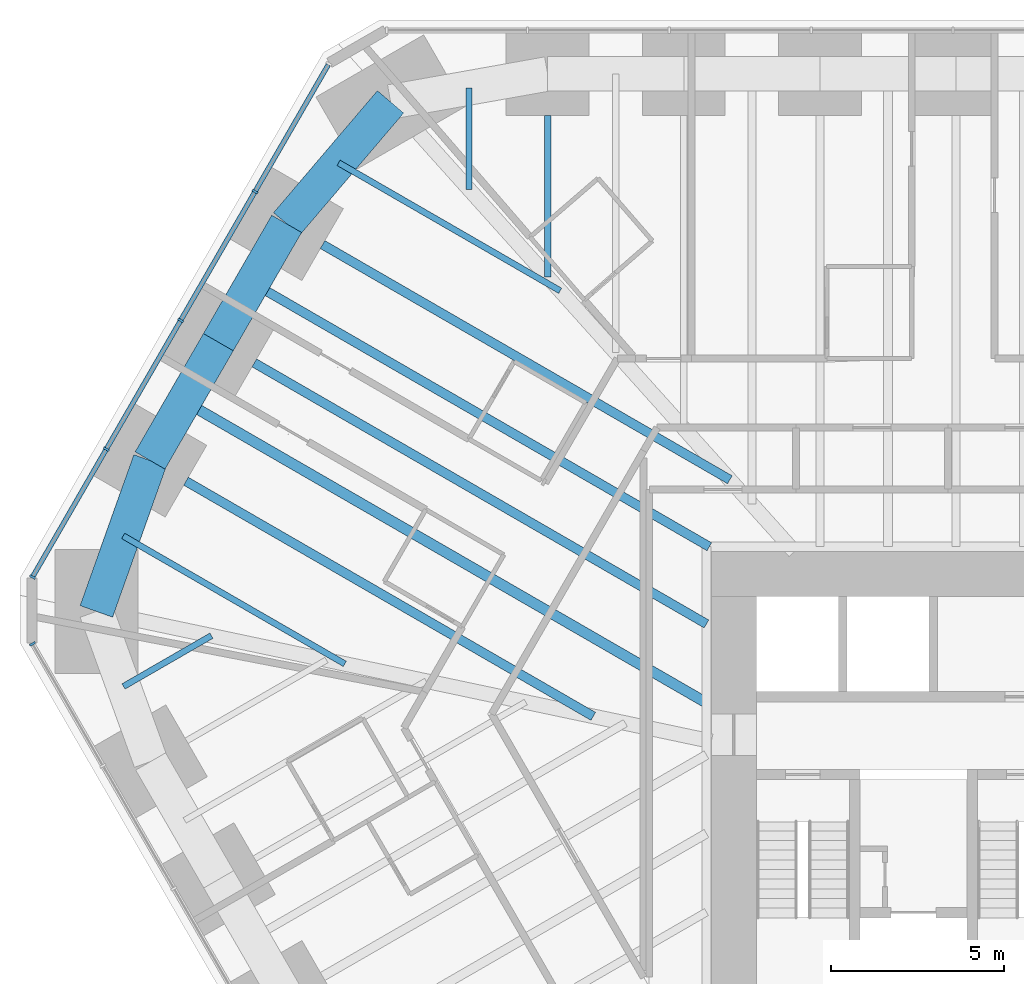
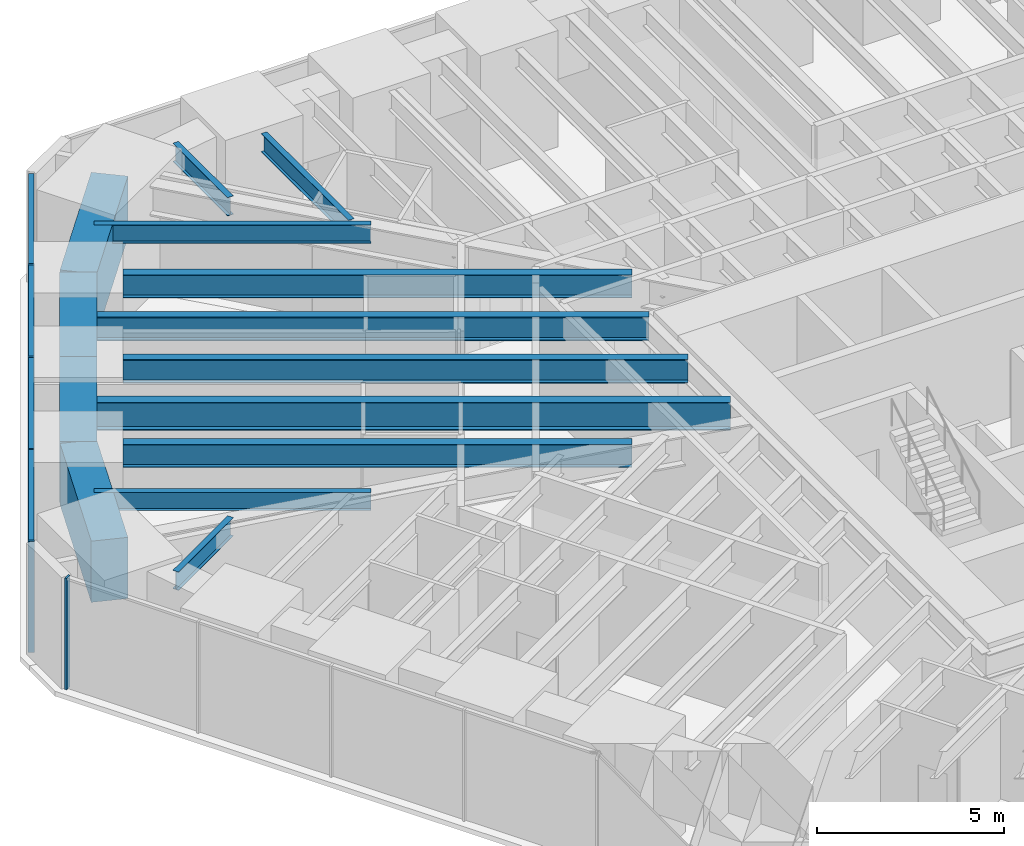
# One storey, part 7 of 17: 14 beams, 9 members, 2 elements without a shape of their own.
"""IFC4 building model written with IfcOpenShell, lengths in metres."""

from ifc_helpers import new_model, si_unit, direction, frame, origin, origin_2d, place, context, subcontext, project, spatial, rectangle, i_section, extrude, material, material_profile, profile_set, type_object, element, aggregate, save


model = new_model("IFC4")

# Units and contexts
model_context = context("Model", 3, precision=1e-05, world=origin(), true_north=direction((0.0, 1.0)))
body_context = subcontext(model_context, "Body", "Model", "MODEL_VIEW")
ifc_project = project(units=[si_unit("LENGTHUNIT", "METRE"), si_unit("AREAUNIT", "SQUARE_METRE"), si_unit("VOLUMEUNIT", "CUBIC_METRE"), si_unit("PLANEANGLEUNIT", "RADIAN"), si_unit("MASSUNIT", "GRAM", prefix="KILO")], contexts=[model_context])

# Site, building, storey
site_placement = place(None, origin())
site = spatial("IfcSite", under=ifc_project, at=site_placement, CompositionType="ELEMENT")
building_placement = place(site_placement, origin())
building = spatial("IfcBuilding", under=site, at=building_placement, Name="Sandreach Pilgrim Tower", CompositionType="ELEMENT")
storey_placement = place(building_placement, frame((0.0, 0.0, 100.60009765625)))
storey = spatial("IfcBuildingStorey", under=building, at=storey_placement, Name="L24", CompositionType="ELEMENT", Elevation=100.60009765625)

# Curtain wall, member
ifc_material_1 = material(Name="Aluminium framed curtain wall", Category="aluminium")
curtain_wall_type = type_object("IfcCurtainWallType", Name="Hotel tower curtain wall", PredefinedType="NOTDEFINED", material=ifc_material_1)
curtain_wall_1_placement = place(storey_placement, origin())
curtain_wall_1 = element("IfcCurtainWall", 1, at=curtain_wall_1_placement, inside=storey, type_object=curtain_wall_type, Name="CW-2 L24 SW", PredefinedType="NOTDEFINED")
ifc_material_2 = material(Name="Aluminium extrusion", Category="aluminium")
ifc_material_profile_1 = material_profile(ifc_material_2, rectangle(XDim=0.06494140625, YDim=0.179931640625, at=origin_2d()), Name="CW-2M 65X180")
ifc_profile_set_1 = profile_set([ifc_material_profile_1], Name="Aluminium extrusion")
member_type_1 = type_object("IfcMemberType", Name="CW-2 mullion", PredefinedType="MULLION", material=ifc_profile_set_1)
member_1_placement = place(storey_placement, frame((-28.70458984375, 4.730224609375, 0.0), z_axis=(0.0, 0.0, 1.0), x_axis=(-0.5, 0.866025403784, 0.0)))
member_1 = element("IfcMember", 2, at=member_1_placement, type_object=member_type_1, Name="CW-2 mullion 10", PredefinedType="MULLION", context=body_context, shape_type="SweptSolid", body=[
    extrude(rectangle(XDim=0.06494140625, YDim=0.179931640625, at=origin_2d()), origin(), (0.0, 0.0, 1.0), 3.639892578125),
])
aggregate(curtain_wall_1, [member_1])

# Curtain wall, members
curtain_wall_2_placement = place(storey_placement, origin())
curtain_wall_2 = element("IfcCurtainWall", 3, at=curtain_wall_2_placement, inside=storey, type_object=curtain_wall_type, Name="CW-2 L24 NW", PredefinedType="NOTDEFINED")
member_2_placement = place(storey_placement, frame((-28.70458984375, 6.66650390625, 0.0), z_axis=(0.0, 0.0, 1.0), x_axis=(0.5, 0.866025403784, 0.0)))
member_2 = element("IfcMember", 4, at=member_2_placement, type_object=member_type_1, Name="CW-2 mullion 1", PredefinedType="MULLION", context=body_context, shape_type="SweptSolid", body=[
    extrude(rectangle(XDim=0.06494140625, YDim=0.179931640625, at=origin_2d()), origin(), (0.0, 0.0, 1.0), 3.639892578125),
])
member_3_placement = place(storey_placement, frame((-26.568115234375, 10.3671875, 0.0), z_axis=(0.0, 0.0, 1.0), x_axis=(0.5, 0.866025403784, 0.0)))
member_3 = element("IfcMember", 5, at=member_3_placement, type_object=member_type_1, Name="CW-2 mullion 2", PredefinedType="MULLION", context=body_context, shape_type="SweptSolid", body=[
    extrude(rectangle(XDim=0.06494140625, YDim=0.179931640625, at=origin_2d()), origin(), (0.0, 0.0, 1.0), 3.639892578125),
])
member_4_placement = place(storey_placement, frame((-24.415283203125, 14.09619140625, 0.0), z_axis=(0.0, 0.0, 1.0), x_axis=(0.5, 0.866025403784, 0.0)))
member_4 = element("IfcMember", 6, at=member_4_placement, type_object=member_type_1, Name="CW-2 mullion 3", PredefinedType="MULLION", context=body_context, shape_type="SweptSolid", body=[
    extrude(rectangle(XDim=0.06494140625, YDim=0.179931640625, at=origin_2d()), origin(), (0.0, 0.0, 1.0), 3.639892578125),
])
member_5_placement = place(storey_placement, frame((-22.262451171875, 17.824951171875, 0.0), z_axis=(0.0, 0.0, 1.0), x_axis=(0.5, 0.866025403784, 0.0)))
member_5 = element("IfcMember", 7, at=member_5_placement, type_object=member_type_1, Name="CW-2 mullion 4", PredefinedType="MULLION", context=body_context, shape_type="SweptSolid", body=[
    extrude(rectangle(XDim=0.06494140625, YDim=0.179931640625, at=origin_2d()), origin(), (0.0, 0.0, 1.0), 3.639892578125),
])
ifc_material_3 = material(Name="Aluminium extrusion", Category="aluminium")
ifc_material_profile_2 = material_profile(ifc_material_3, rectangle(XDim=0.139892578125, YDim=0.070068359375, at=origin_2d()), Name="CW-2T 140X70")
ifc_profile_set_2 = profile_set([ifc_material_profile_2], Name="Aluminium extrusion")
member_type_2 = type_object("IfcMemberType", Name="CW-2 transom", PredefinedType="USERDEFINED", material=ifc_profile_set_2)
member_6_placement = place(storey_placement, frame((-28.6884765625, 6.69482421875, 3.60498046875), z_axis=(0.500038835258, 0.866002981077, 0.0), x_axis=(-0.866002981077, 0.500038835258, 0.0)))
member_6 = element("IfcMember", 8, at=member_6_placement, type_object=member_type_2, Name="CW-2 head transom 1", ObjectType="TRANSOM", PredefinedType="USERDEFINED", context=body_context, shape_type="SweptSolid", body=[
    extrude(rectangle(XDim=0.139892578125, YDim=0.070068359375, at=origin_2d()), origin(), (0.0, 0.0, 1.0), 4.208251953125),
])
member_7_placement = place(storey_placement, frame((-26.5517578125, 10.3955078125, 3.60498046875), z_axis=(0.500021471012, 0.866013007135, 0.0), x_axis=(-0.866013007135, 0.500021471012, 0.0)))
member_7 = element("IfcMember", 9, at=member_7_placement, type_object=member_type_2, Name="CW-2 head transom 2", ObjectType="TRANSOM", PredefinedType="USERDEFINED", context=body_context, shape_type="SweptSolid", body=[
    extrude(rectangle(XDim=0.139892578125, YDim=0.070068359375, at=origin_2d()), origin(), (0.0, 0.0, 1.0), 4.240478515625),
])
member_8_placement = place(storey_placement, frame((-24.39892578125, 14.124267578125, 3.60498046875), z_axis=(0.499996541496, 0.866027400544, 0.0), x_axis=(-0.866027400544, 0.499996541496, 0.0)))
member_8 = element("IfcMember", 10, at=member_8_placement, type_object=member_type_2, Name="CW-2 head transom 3", ObjectType="TRANSOM", PredefinedType="USERDEFINED", context=body_context, shape_type="SweptSolid", body=[
    extrude(rectangle(XDim=0.139892578125, YDim=0.070068359375, at=origin_2d()), origin(), (0.0, 0.0, 1.0), 4.24072265625),
])
member_9_placement = place(storey_placement, frame((-22.24609375, 17.85302734375, 3.60498046875), z_axis=(0.49997020258, 0.86604260665, 0.0), x_axis=(-0.86604260665, 0.49997020258, 0.0)))
member_9 = element("IfcMember", 11, at=member_9_placement, type_object=member_type_2, Name="CW-2 head transom 4", ObjectType="TRANSOM", PredefinedType="USERDEFINED", context=body_context, shape_type="SweptSolid", body=[
    extrude(rectangle(XDim=0.139892578125, YDim=0.070068359375, at=origin_2d()), origin(), (0.0, 0.0, 1.0), 4.208251953125),
])
aggregate(curtain_wall_2, [member_2, member_3, member_4, member_5, member_6, member_7, member_8, member_9])

# Beams
ifc_material_4 = material(Name="Steel ASTM A992 Grade 50", Category="steel")
ifc_material_profile_3 = material_profile(ifc_material_4, i_section(OverallWidth=0.1787109375, OverallDepth=0.60205078125, WebThickness=0.010986328125, FlangeThickness=0.014892578125, at=origin_2d()), Name="W24X62")
ifc_profile_set_3 = profile_set([ifc_material_profile_3], Name="Steel ASTM A992 Grade 50")
beam_type_1 = type_object("IfcBeamType", Name="Floor beam W24X62", PredefinedType="BEAM", material=ifc_profile_set_3)
beam_1_placement = place(storey_placement, frame((-13.789794921875, 20.03369140625, 3.3388671875), z_axis=(0.0, -1.0, 0.0), x_axis=(1.0, 0.0, 0.0)))
element("IfcBeam", 12, at=beam_1_placement, inside=storey, type_object=beam_type_1, Name="BM L24 F01", PredefinedType="BEAM", context=body_context, shape_type="SweptSolid", body=[
    extrude(i_section(OverallWidth=0.1787109375, OverallDepth=0.60205078125, WebThickness=0.010986328125, FlangeThickness=0.014892578125, at=origin_2d()), origin(), (0.0, 0.0, 1.0), 4.676513671875),
])
beam_2_placement = place(storey_placement, frame((-26.070556640625, 3.498046875, 3.3388671875), z_axis=(0.866051374412, 0.499955014855, 0.0), x_axis=(-0.499955014855, 0.866051374412, 0.0)))
element("IfcBeam", 13, at=beam_2_placement, inside=storey, type_object=beam_type_1, Name="BM L24 FM34", PredefinedType="BEAM", context=body_context, shape_type="SweptSolid", body=[
    extrude(i_section(OverallWidth=0.1787109375, OverallDepth=0.60205078125, WebThickness=0.010986328125, FlangeThickness=0.014892578125, at=origin_2d()), origin(), (0.0, 0.0, 1.0), 2.938232421875),
])
for number, where, z_axis, x_axis, name in (
    (14, (-26.079345703125, 7.855712890625, 3.3388671875), (0.866025875064, -0.499999183719, 0.0), (0.499999183719, 0.866025875064, 0.0), "BM L24 FM35"),
    (15, (-19.8427734375, 18.65771484375, 3.3388671875), (0.866025875064, -0.499999183719, 0.0), (0.499999183719, 0.866025875064, 0.0), "BM L24 FM38"),
):
    element("IfcBeam", number, at=place(storey_placement, frame(where, z_axis=z_axis, x_axis=x_axis)), inside=storey, type_object=beam_type_1, Name=name, PredefinedType="BEAM", context=body_context, shape_type="SweptSolid", body=[
        extrude(i_section(OverallWidth=0.1787109375, OverallDepth=0.60205078125, WebThickness=0.010986328125, FlangeThickness=0.014892578125, at=origin_2d()), origin(), (0.0, 0.0, 1.0), 7.40771484375),
    ])
beam_3_placement = place(storey_placement, frame((-16.064697265625, 20.828857421875, 3.3388671875), z_axis=(0.0, -1.0, 0.0), x_axis=(1.0, 0.0, 0.0)))
element("IfcBeam", 16, at=beam_3_placement, inside=storey, type_object=beam_type_1, Name="BM L24 FM39", PredefinedType="BEAM", context=body_context, shape_type="SweptSolid", body=[
    extrude(i_section(OverallWidth=0.1787109375, OverallDepth=0.60205078125, WebThickness=0.010986328125, FlangeThickness=0.014892578125, at=origin_2d()), origin(), (0.0, 0.0, 1.0), 2.938232421875),
])
ifc_material_5 = material(Name="Steel ASTM A992 Grade 50", Category="steel")
ifc_material_profile_4 = material_profile(ifc_material_5, i_section(OverallWidth=0.2666015625, OverallDepth=0.761962890625, WebThickness=0.014404296875, FlangeThickness=0.021484375, at=origin_2d()), Name="W30X116")
ifc_profile_set_4 = profile_set([ifc_material_profile_4], Name="Steel ASTM A992 Grade 50")
beam_type_2 = type_object("IfcBeamType", Name="Floor beam W30X116", PredefinedType="BEAM", material=ifc_profile_set_4)
for number, where, z_axis, x_axis, name in (
    (17, (-24.262451171875, 9.440673828125, 3.2587890625), (0.866032106686, -0.499988390054, 0.0), (0.499988390054, 0.866032106686, 0.0), "BM L24 F36"),
    (18, (-20.30712890625, 16.29150390625, 3.2587890625), (0.866019859564, -0.500009602748, 0.0), (0.500009602748, 0.866019859564, 0.0), "BM L24 F38"),
):
    element("IfcBeam", number, at=place(storey_placement, frame(where, z_axis=z_axis, x_axis=x_axis)), inside=storey, type_object=beam_type_2, Name=name, PredefinedType="BEAM", context=body_context, shape_type="SweptSolid", body=[
        extrude(i_section(OverallWidth=0.2666015625, OverallDepth=0.761962890625, WebThickness=0.014404296875, FlangeThickness=0.021484375, at=origin_2d()), origin(), (0.0, 0.0, 1.0), 13.615478515625),
    ])
ifc_material_6 = material(Name="Steel ASTM A992 Grade 50", Category="steel")
ifc_material_profile_5 = material_profile(ifc_material_6, i_section(OverallWidth=0.2666015625, OverallDepth=0.77978515625, WebThickness=0.0166015625, FlangeThickness=0.030029296875, at=origin_2d()), Name="W30X148")
ifc_profile_set_5 = profile_set([ifc_material_profile_5], Name="Steel ASTM A992 Grade 50")
beam_type_3 = type_object("IfcBeamType", Name="Floor beam W30X148", PredefinedType="BEAM", material=ifc_profile_set_5)
beam_4_placement = place(storey_placement, frame((-22.28466796875, 12.8662109375, 3.25), z_axis=(0.866023138861, -0.500003922942, 0.0), x_axis=(0.500003922942, 0.866023138861, 0.0)))
element("IfcBeam", 19, at=beam_4_placement, inside=storey, type_object=beam_type_3, Name="BM L24 F37", PredefinedType="BEAM", context=body_context, shape_type="SweptSolid", body=[
    extrude(i_section(OverallWidth=0.2666015625, OverallDepth=0.77978515625, WebThickness=0.0166015625, FlangeThickness=0.030029296875, at=origin_2d()), origin(), (0.0, 0.0, 1.0), 15.11669921875),
])
beam_5_placement = place(storey_placement, frame((-22.335205078125, 15.1787109375, 3.25), z_axis=(0.866028773314, -0.499994163758, 0.0), x_axis=(0.499994163758, 0.866028773314, 0.0)))
element("IfcBeam", 20, at=beam_5_placement, inside=storey, type_object=beam_type_3, Name="BM L24 FM37", PredefinedType="BEAM", context=body_context, shape_type="SweptSolid", body=[
    extrude(i_section(OverallWidth=0.2666015625, OverallDepth=0.77978515625, WebThickness=0.0166015625, FlangeThickness=0.030029296875, at=origin_2d()), origin(), (0.0, 0.0, 1.0), 15.270751953125),
])
ifc_material_7 = material(Name="Steel ASTM A992 Grade 50", Category="steel")
ifc_material_profile_6 = material_profile(ifc_material_7, i_section(OverallWidth=0.3046875, OverallDepth=0.914306640625, WebThickness=0.0166015625, FlangeThickness=0.02587890625, at=origin_2d()), Name="W36X160")
ifc_profile_set_6 = profile_set([ifc_material_profile_6], Name="Steel ASTM A992 Grade 50")
beam_type_4 = type_object("IfcBeamType", Name="Floor beam W36X160", PredefinedType="BEAM", material=ifc_profile_set_6)
beam_6_placement = place(storey_placement, frame((-24.312744140625, 11.75341796875, 3.1826171875), z_axis=(0.866023737483, -0.500002886107, 0.0), x_axis=(0.500002886107, 0.866023737483, 0.0)))
element("IfcBeam", 21, at=beam_6_placement, inside=storey, type_object=beam_type_4, Name="BM L24 FM36", PredefinedType="BEAM", context=body_context, shape_type="SweptSolid", body=[
    extrude(i_section(OverallWidth=0.3046875, OverallDepth=0.914306640625, WebThickness=0.0166015625, FlangeThickness=0.02587890625, at=origin_2d()), origin(), (0.0, 0.0, 1.0), 17.45849609375),
])
ifc_material_8 = material(Name="Concrete 10000 psi", Category="concrete")
ifc_material_profile_7 = material_profile(ifc_material_8, rectangle(XDim=1.0, YDim=2.0, at=origin_2d()), Name="RC1000X2000")
ifc_profile_set_7 = profile_set([ifc_material_profile_7], Name="Concrete 10000 psi")
beam_type_5 = type_object("IfcBeamType", Name="Spandrel beam RC1000X2000", PredefinedType="SPANDREL", material=ifc_profile_set_7)
beam_7_placement = place(storey_placement, frame((-26.857177734375, 5.67041015625, 2.639892578125), z_axis=(0.335346041399, 0.942095023083, 0.0), x_axis=(-0.942095023083, 0.335346041399, 0.0)))
element("IfcBeam", 22, at=beam_7_placement, inside=storey, type_object=beam_type_5, Name="BM L24 SP35", PredefinedType="SPANDREL", context=body_context, shape_type="SweptSolid", body=[
    extrude(rectangle(XDim=1.0, YDim=2.0, at=origin_2d()), origin(), (0.0, 0.0, 1.0), 4.638916015625),
])
for number, where, z_axis, x_axis, name in (
    (23, (-25.301513671875, 10.040771484375, 2.639892578125), (0.499989616998, 0.866031398331, 0.0), (-0.866031398331, 0.499989616998, 0.0), "BM L24 SP36"),
    (24, (-23.323974609375, 13.466064453125, 2.639892578125), (0.499989616998, 0.866031398331, 0.0), (-0.866031398331, 0.499989616998, 0.0), "BM L24 SP37"),
):
    element("IfcBeam", number, at=place(storey_placement, frame(where, z_axis=z_axis, x_axis=x_axis)), inside=storey, type_object=beam_type_5, Name=name, PredefinedType="SPANDREL", context=body_context, shape_type="SweptSolid", body=[
        extrude(rectangle(XDim=1.0, YDim=2.0, at=origin_2d()), origin(), (0.0, 0.0, 1.0), 3.955078125),
    ])
beam_8_placement = place(storey_placement, frame((-21.346435546875, 16.891357421875, 2.639892578125), z_axis=(0.648208888384, 0.761462564425, 0.0), x_axis=(-0.761462564425, 0.648208888384, 0.0)))
element("IfcBeam", 25, at=beam_8_placement, inside=storey, type_object=beam_type_5, Name="BM L24 SP38", PredefinedType="SPANDREL", context=body_context, shape_type="SweptSolid", body=[
    extrude(rectangle(XDim=1.0, YDim=2.0, at=origin_2d()), origin(), (0.0, 0.0, 1.0), 4.63916015625),
])

save(model, "model.ifc")
